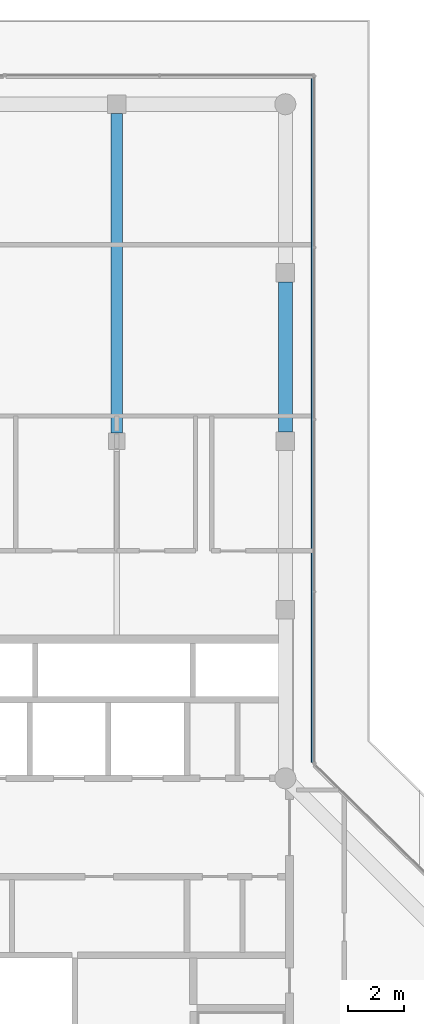
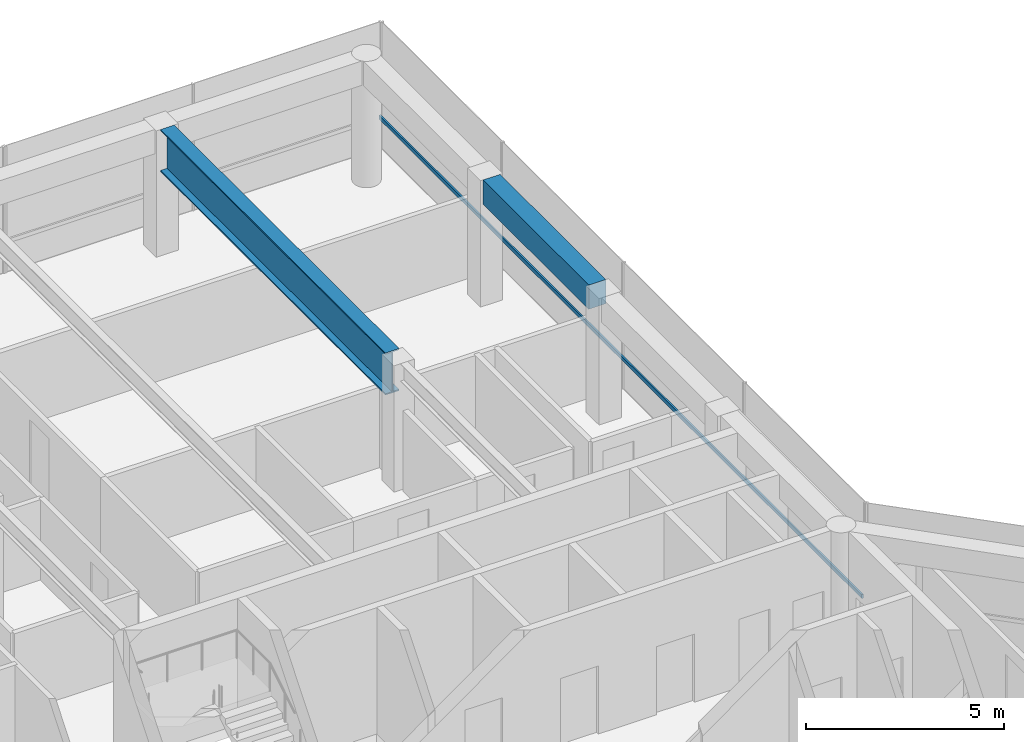
# One storey, part 12 of 21: 2 beams, 1 member, 1 element without a shape of its own.
"""IFC4 building model written with IfcOpenShell, lengths in metres."""

from ifc_helpers import new_model, si_unit, direction, frame, origin, origin_2d, place, context, subcontext, project, spatial, rectangle, i_section, extrude, material, layer, layer_set, material_profile, profile_set, type_object, element, aggregate, save


model = new_model("IFC4")

# Units and contexts
model_context = context("Model", 3, precision=1e-05, world=origin(), true_north=direction((0.0, 1.0)))
body_context = subcontext(model_context, "Body", "Model", "MODEL_VIEW")
ifc_project = project(units=[si_unit("LENGTHUNIT", "METRE"), si_unit("AREAUNIT", "SQUARE_METRE"), si_unit("VOLUMEUNIT", "CUBIC_METRE"), si_unit("PLANEANGLEUNIT", "RADIAN"), si_unit("MASSUNIT", "GRAM", prefix="KILO")], contexts=[model_context])

# Site, building, storey
site_placement = place(None, origin())
site = spatial("IfcSite", under=ifc_project, at=site_placement, CompositionType="ELEMENT")
building_placement = place(site_placement, origin())
building = spatial("IfcBuilding", under=site, at=building_placement, Name="Welwitschia Terrace Campus", CompositionType="ELEMENT")
storey_placement = place(building_placement, frame((0.0, 0.0, 331.39990234375)))
storey = spatial("IfcBuildingStorey", under=building, at=storey_placement, Name="L74", CompositionType="ELEMENT", Elevation=331.39990234375)

# Beams
ifc_material_1 = material(Name="Concrete C40/50", Category="concrete")
ifc_material_profile_1 = material_profile(ifc_material_1, rectangle(XDim=0.5, YDim=0.75, at=origin_2d()))
ifc_profile_set_1 = profile_set([ifc_material_profile_1], Name="Concrete C40/50")
beam_type_1 = type_object("IfcBeamType", Name="Ring spandrel 500x750", PredefinedType="SPANDREL", material=ifc_profile_set_1)
beam_1_placement = place(storey_placement, frame((24.0, 32.325439453125, 3.525146484375), z_axis=(0.0, 1.0, 0.0), x_axis=(-1.0, 0.0, 0.0)))
element("IfcBeam", 1, at=beam_1_placement, inside=storey, type_object=beam_type_1, Name="Spandrel SP5", PredefinedType="SPANDREL", context=body_context, shape_type="SweptSolid", body=[
    extrude(rectangle(XDim=0.5, YDim=0.75, at=origin_2d()), origin(), (0.0, 0.0, 1.0), 5.34912109375),
])
ifc_material_2 = material(Name="Steel S355", Category="steel")
ifc_material_profile_2 = material_profile(ifc_material_2, i_section(OverallWidth=0.39990234375, OverallDepth=1.300048828125, WebThickness=0.02490234375, FlangeThickness=0.0400390625, at=origin_2d()))
ifc_profile_set_2 = profile_set([ifc_material_profile_2], Name="Steel S355")
beam_type_2 = type_object("IfcBeamType", Name="Transfer girder WI 1300x400x25x40", PredefinedType="BEAM", material=ifc_profile_set_2)
beam_2_placement = place(storey_placement, frame((18.0, 32.300537109375, 3.25), z_axis=(0.0, 1.0, 0.0), x_axis=(-1.0, 0.0, 0.0)))
element("IfcBeam", 2, at=beam_2_placement, inside=storey, type_object=beam_type_2, Name="Transfer girder TG1", PredefinedType="BEAM", context=body_context, shape_type="SweptSolid", body=[
    extrude(i_section(OverallWidth=0.39990234375, OverallDepth=1.300048828125, WebThickness=0.02490234375, FlangeThickness=0.0400390625, at=origin_2d()), origin(), (0.0, 0.0, 1.0), 11.3740234375),
])

# Curtain wall, member
ifc_material_3 = material(Name="Bronze anodised aluminium", Category="aluminium")
ifc_layer = layer(ifc_material_3, 0.10009765625)
ifc_layer_set = layer_set([ifc_layer], Name="Bronze anodised aluminium")
curtain_wall_type = type_object("IfcCurtainWallType", Name="Curtain wall CW5 crown 6000", PredefinedType="NOTDEFINED", material=ifc_layer_set)
curtain_wall_placement = place(storey_placement, origin())
curtain_wall = element("IfcCurtainWall", 3, at=curtain_wall_placement, inside=storey, type_object=curtain_wall_type, Name="CW L74.7.0", PredefinedType="NOTDEFINED")
ifc_material_4 = material(Name="Bronze anodised aluminium", Category="aluminium")
ifc_material_profile_3 = material_profile(ifc_material_4, rectangle(XDim=0.050048828125, YDim=0.1201171875, at=origin_2d()))
ifc_profile_set_3 = profile_set([ifc_material_profile_3], Name="Bronze anodised aluminium")
member_type = type_object("IfcMemberType", Name="Transom 50x120", PredefinedType="USERDEFINED", material=ifc_profile_set_3)
member_placement = place(storey_placement, frame((24.955078125, 20.565673828125, 1.0), z_axis=(0.0, 1.0, 0.0), x_axis=(-1.0, 0.0, 0.0)))
member = element("IfcMember", 4, at=member_placement, type_object=member_type, Name="Transom L74.7.0", ObjectType="TRANSOM", PredefinedType="USERDEFINED", context=body_context, shape_type="SweptSolid", body=[
    extrude(rectangle(XDim=0.050048828125, YDim=0.1201171875, at=origin_2d()), origin(), (0.0, 0.0, 1.0), 24.414306640625),
])
aggregate(curtain_wall, [member])

save(model, "model.ifc")
